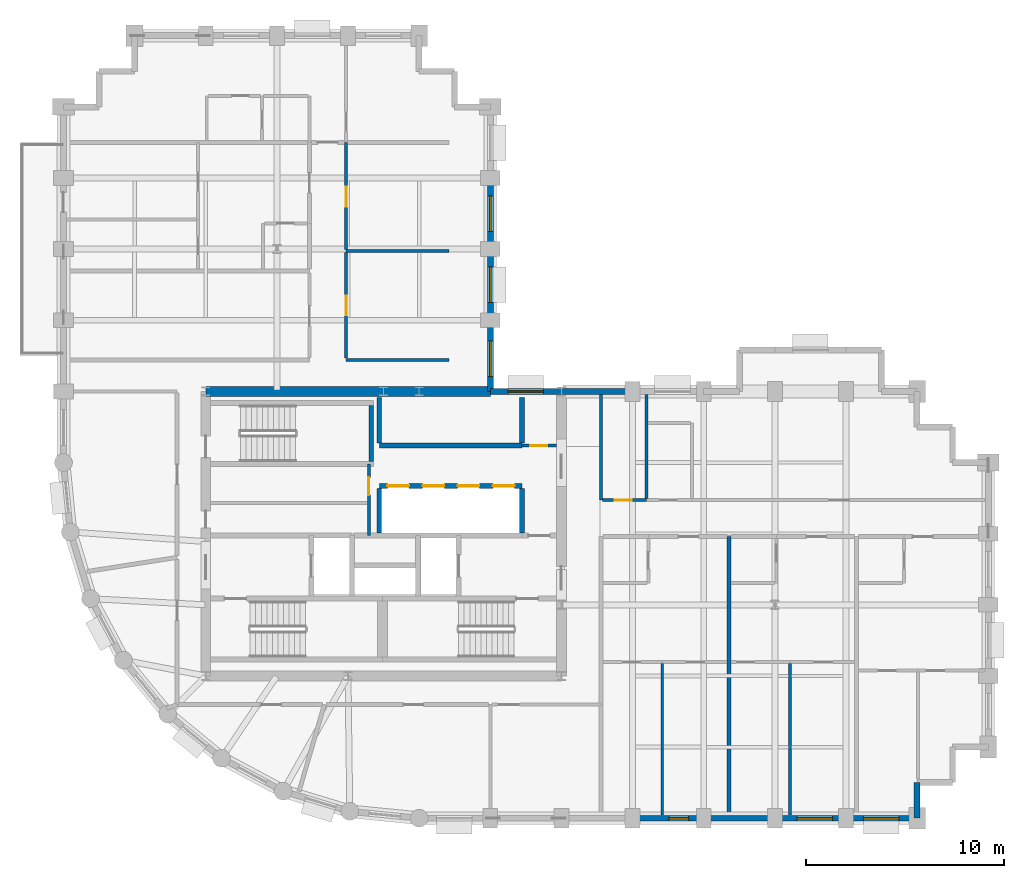
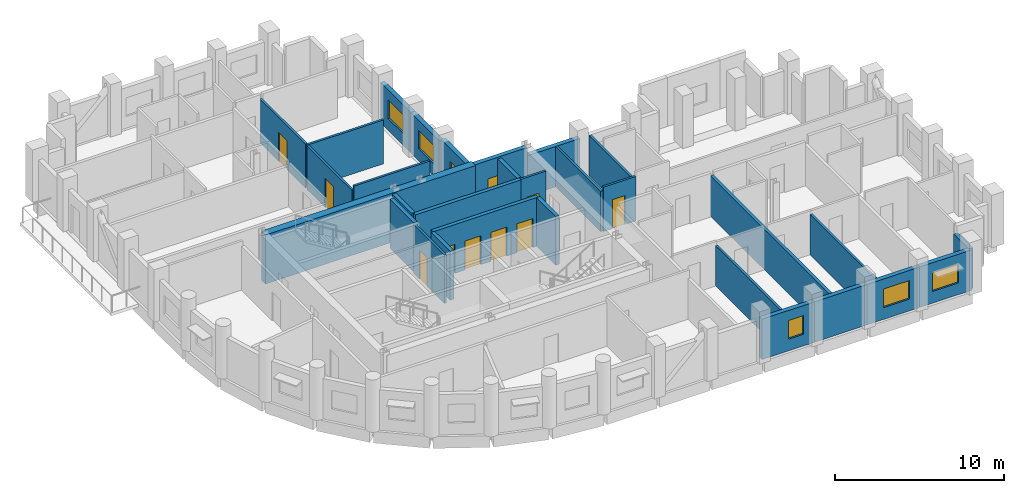
# One storey, part 5 of 10: 30 walls, 9 doors, 7 windows, 16 openings.
"""IFC4 building model written with IfcOpenShell, lengths in metres."""

from ifc_helpers import new_model, si_unit, direction, frame, frame_2d, origin, place, context, subcontext, project, spatial, rectangle, extrude, material, layer, layer_set, type_object, element, fill, save


model = new_model("IFC4")

# Units and contexts
model_context = context("Model", 3, precision=1e-05, world=origin(), true_north=direction((0.0, 1.0)))
body_context = subcontext(model_context, "Body", "Model", "MODEL_VIEW")
ifc_project = project(units=[si_unit("LENGTHUNIT", "METRE"), si_unit("AREAUNIT", "SQUARE_METRE"), si_unit("VOLUMEUNIT", "CUBIC_METRE"), si_unit("PLANEANGLEUNIT", "RADIAN"), si_unit("MASSUNIT", "GRAM", prefix="KILO")], contexts=[model_context])

# Site, building, storey
site_placement = place(None, origin())
site = spatial("IfcSite", under=ifc_project, at=site_placement, CompositionType="ELEMENT")
building_placement = place(site_placement, origin())
building = spatial("IfcBuilding", under=site, at=building_placement, Name="Solnavia Interchange Tower", CompositionType="ELEMENT")
storey_placement = place(building_placement, frame((0.0, 0.0, 150.39990234375)))
storey = spatial("IfcBuildingStorey", under=building, at=storey_placement, Name="L37", CompositionType="ELEMENT", Elevation=150.39990234375)

# Wall
ifc_material_1 = material(Name="Gypsum Acoustic Twin-Stud & Mineral Wool", Category="gypsum")
ifc_layer_1 = layer(ifc_material_1, 0.199951171875)
ifc_layer_set_1 = layer_set([ifc_layer_1], Name="Gypsum Acoustic Twin-Stud & Mineral Wool")
wall_type_1 = type_object("IfcWallType", Name="Wall-ApartmentParty-200", PredefinedType="PARTITIONING", material=ifc_layer_set_1)
wall_1_placement = place(storey_placement, frame((40.8701171875, 3.75390625, 0.0), z_axis=(0.0, 0.0, 1.0), x_axis=(0.0, 1.0, 0.0)))
element("IfcWall", 1, at=wall_1_placement, inside=storey, type_object=wall_type_1, Name="PTW-L37-18 Interior partition wall", PredefinedType="PARTITIONING", context=body_context, shape_type="SweptSolid", body=[
    extrude(rectangle(XDim=14.09619140625, YDim=0.199951171875, at=frame_2d((7.048095703125, 0.0))), origin(), (0.0, 0.0, 1.0), 2.93017578125),
])

# Wall, opening, window
ifc_material_2 = material(Name="Concrete C40/50", Category="concrete")
ifc_layer_2 = layer(ifc_material_2, 0.300048828125)
ifc_layer_set_2 = layer_set([ifc_layer_2], Name="Concrete C40/50")
wall_type_2 = type_object("IfcWallType", Name="Wall-ExtSpandrel-300", PredefinedType="STANDARD", material=ifc_layer_set_2)
wall_2_placement = place(storey_placement, frame((39.60009765625, 3.60009765625, 0.0), z_axis=(0.0, 0.0, 1.0), x_axis=(-1.0, 0.0, 0.0)))
wall_2 = element("IfcWall", 2, at=wall_2_placement, inside=storey, type_object=wall_type_2, Name="EXW-L37-04 Exterior precast spandrel wall", PredefinedType="STANDARD", context=body_context, shape_type="SweptSolid", body=[
    extrude(rectangle(XDim=3.60009765625, YDim=0.300048828125, at=frame_2d((1.800048828125, 0.0))), origin(), (0.0, 0.0, 1.0), 2.93017578125),
])
opening_1_placement = place(wall_2_placement, frame((0.76904296875, 0.0, 0.85009765625)))
opening_1 = element("IfcOpeningElement", 3, at=opening_1_placement, cuts=wall_2, Name="Opening WIN-07", PredefinedType="OPENING", context=body_context, shape_type="SweptSolid", body=[
    extrude(rectangle(XDim=1.0, YDim=1.35009765625, at=frame_2d((0.5, 0.675048828125))), frame((0.0, 0.16015625, 0.0), z_axis=(0.0, -1.0, 0.0), x_axis=(1.0, 0.0, 0.0)), (0.0, 0.0, 1.0), 0.320068359375),
])
ifc_material_3 = material(Name="Thermal-Break Aluminium & Low-E Glass", Category="aluminium")
window_type_1 = type_object("IfcWindowType", Name="Window-Bedroom-1000x1350", PartitioningType="SINGLE_PANEL", PredefinedType="WINDOW", material=ifc_material_3)
window_1_placement = place(opening_1_placement, origin())
window_1 = element("IfcWindow", 4, at=window_1_placement, inside=storey, type_object=window_type_1, Name="WIN-L37-DW01 Dwelling bedroom window", OverallHeight=1.35009765625, OverallWidth=1.0, PartitioningType="SINGLE_PANEL", PredefinedType="WINDOW", context=body_context, shape_type="SweptSolid", body=[
    extrude(rectangle(XDim=1.0, YDim=1.35009765625, at=frame_2d((0.5, 0.675048828125))), frame((0.0, 0.030029296875, 0.0), z_axis=(0.0, -1.0, 0.0), x_axis=(1.0, 0.0, 0.0)), (0.0, 0.0, 1.0), 0.06005859375),
])
fill(opening_1, window_1)

# Wall
wall_3_placement = place(storey_placement, frame((43.199951171875, 3.60009765625, 0.0), z_axis=(0.0, 0.0, 1.0), x_axis=(-1.0, 0.0, 0.0)))
element("IfcWall", 5, at=wall_3_placement, inside=storey, type_object=wall_type_2, Name="EXW-L37-05 Exterior precast spandrel wall", PredefinedType="STANDARD", context=body_context, shape_type="SweptSolid", body=[
    extrude(rectangle(XDim=3.599853515625, YDim=0.300048828125, at=frame_2d((1.7998046875, 0.0))), origin(), (0.0, 0.0, 1.0), 2.93017578125),
])

# Wall, opening, window
wall_4_placement = place(storey_placement, frame((46.800048828125, 3.60009765625, 0.0), z_axis=(0.0, 0.0, 1.0), x_axis=(-1.0, 0.0, 0.0)))
wall_4 = element("IfcWall", 6, at=wall_4_placement, inside=storey, type_object=wall_type_2, Name="EXW-L37-06 Exterior precast spandrel wall", PredefinedType="STANDARD", context=body_context, shape_type="SweptSolid", body=[
    extrude(rectangle(XDim=3.60009765625, YDim=0.300048828125, at=frame_2d((1.800048828125, 0.0))), origin(), (0.0, 0.0, 1.0), 2.93017578125),
])
opening_2_placement = place(wall_4_placement, frame((0.679931640625, 0.0, 0.85009765625)))
opening_2 = element("IfcOpeningElement", 7, at=opening_2_placement, cuts=wall_4, Name="Opening WIN-02", PredefinedType="OPENING", context=body_context, shape_type="SweptSolid", body=[
    extrude(rectangle(XDim=1.800048828125, YDim=1.35009765625, at=frame_2d((0.89990234375, 0.675048828125))), frame((0.0, 0.16015625, 0.0), z_axis=(0.0, -1.0, 0.0), x_axis=(1.0, 0.0, 0.0)), (0.0, 0.0, 1.0), 0.320068359375),
])
window_type_2 = type_object("IfcWindowType", Name="Window-Ribbon-1800x1350", PartitioningType="SINGLE_PANEL", PredefinedType="WINDOW", material=ifc_material_3)
window_2_placement = place(opening_2_placement, origin())
window_2 = element("IfcWindow", 8, at=window_2_placement, inside=storey, type_object=window_type_2, Name="WIN-L37-06 Facade ribbon window", OverallHeight=1.35009765625, OverallWidth=1.800048828125, PartitioningType="SINGLE_PANEL", PredefinedType="WINDOW", context=body_context, shape_type="SweptSolid", body=[
    extrude(rectangle(XDim=1.800048828125, YDim=1.35009765625, at=frame_2d((0.89990234375, 0.675048828125))), frame((0.0, 0.030029296875, 0.0), z_axis=(0.0, -1.0, 0.0), x_axis=(1.0, 0.0, 0.0)), (0.0, 0.0, 1.0), 0.06005859375),
])
fill(opening_2, window_2)

wall_5_placement = place(storey_placement, frame((50.39990234375, 3.60009765625, 0.0), z_axis=(0.0, 0.0, 1.0), x_axis=(-1.0, 0.0, 0.0)))
wall_5 = element("IfcWall", 9, at=wall_5_placement, inside=storey, type_object=wall_type_2, Name="EXW-L37-07 Exterior precast spandrel wall", PredefinedType="STANDARD", context=body_context, shape_type="SweptSolid", body=[
    extrude(rectangle(XDim=3.599853515625, YDim=0.300048828125, at=frame_2d((1.7998046875, 0.0))), origin(), (0.0, 0.0, 1.0), 2.93017578125),
])
opening_3_placement = place(wall_5_placement, frame((0.925048828125, 0.0, 0.85009765625)))
opening_3 = element("IfcOpeningElement", 10, at=opening_3_placement, cuts=wall_5, Name="Opening WIN-02", PredefinedType="OPENING", context=body_context, shape_type="SweptSolid", body=[
    extrude(rectangle(XDim=1.800048828125, YDim=1.35009765625, at=frame_2d((0.89990234375, 0.675048828125))), frame((0.0, 0.16015625, 0.0), z_axis=(0.0, -1.0, 0.0), x_axis=(1.0, 0.0, 0.0)), (0.0, 0.0, 1.0), 0.320068359375),
])
window_3_placement = place(opening_3_placement, origin())
window_3 = element("IfcWindow", 11, at=window_3_placement, inside=storey, type_object=window_type_2, Name="WIN-L37-07 Facade ribbon window", OverallHeight=1.35009765625, OverallWidth=1.800048828125, PartitioningType="SINGLE_PANEL", PredefinedType="WINDOW", context=body_context, shape_type="SweptSolid", body=[
    extrude(rectangle(XDim=1.800048828125, YDim=1.35009765625, at=frame_2d((0.89990234375, 0.675048828125))), frame((0.0, 0.030029296875, 0.0), z_axis=(0.0, -1.0, 0.0), x_axis=(1.0, 0.0, 0.0)), (0.0, 0.0, 1.0), 0.06005859375),
])
fill(opening_3, window_3)

# Walls
wall_6_placement = place(storey_placement, frame((50.39990234375, 5.39990234375, 0.0), z_axis=(0.0, 0.0, 1.0), x_axis=(0.0, -1.0, 0.0)))
element("IfcWall", 12, at=wall_6_placement, inside=storey, type_object=wall_type_2, Name="EXW-L37-08 Exterior precast spandrel wall", PredefinedType="STANDARD", context=body_context, shape_type="SweptSolid", body=[
    extrude(rectangle(XDim=1.7998046875, YDim=0.300048828125, at=frame_2d((0.89990234375, 0.0))), origin(), (0.0, 0.0, 1.0), 2.93017578125),
])
wall_7_placement = place(storey_placement, frame((32.39990234375, 25.199951171875, 0.0), z_axis=(0.0, 0.0, 1.0), x_axis=(1.0, 0.0, 0.0)))
element("IfcWall", 13, at=wall_7_placement, inside=storey, type_object=wall_type_2, Name="EXW-L37-28 Exterior precast spandrel wall", PredefinedType="STANDARD", context=body_context, shape_type="SweptSolid", body=[
    extrude(rectangle(XDim=3.60009765625, YDim=0.300048828125, at=frame_2d((1.800048828125, 0.0))), origin(), (0.0, 0.0, 1.0), 2.93017578125),
])

# Wall, opening, window
wall_8_placement = place(storey_placement, frame((28.800048828125, 25.199951171875, 0.0), z_axis=(0.0, 0.0, 1.0), x_axis=(1.0, 0.0, 0.0)))
wall_8 = element("IfcWall", 14, at=wall_8_placement, inside=storey, type_object=wall_type_2, Name="EXW-L37-29 Exterior precast spandrel wall", PredefinedType="STANDARD", context=body_context, shape_type="SweptSolid", body=[
    extrude(rectangle(XDim=3.599853515625, YDim=0.300048828125, at=frame_2d((1.7998046875, 0.0))), origin(), (0.0, 0.0, 1.0), 3.53515625),
])
opening_4_placement = place(wall_8_placement, frame((0.884033203125, 0.0, 0.85009765625)))
opening_4 = element("IfcOpeningElement", 15, at=opening_4_placement, cuts=wall_8, Name="Opening WIN-02", PredefinedType="OPENING", context=body_context, shape_type="SweptSolid", body=[
    extrude(rectangle(XDim=1.800048828125, YDim=1.35009765625, at=frame_2d((0.89990234375, 0.675048828125))), frame((0.0, 0.16015625, 0.0), z_axis=(0.0, -1.0, 0.0), x_axis=(1.0, 0.0, 0.0)), (0.0, 0.0, 1.0), 0.320068359375),
])
window_4_placement = place(opening_4_placement, origin())
window_4 = element("IfcWindow", 16, at=window_4_placement, inside=storey, type_object=window_type_2, Name="WIN-L37-29 Facade ribbon window", OverallHeight=1.35009765625, OverallWidth=1.800048828125, PartitioningType="SINGLE_PANEL", PredefinedType="WINDOW", context=body_context, shape_type="SweptSolid", body=[
    extrude(rectangle(XDim=1.800048828125, YDim=1.35009765625, at=frame_2d((0.89990234375, 0.675048828125))), frame((0.0, 0.030029296875, 0.0), z_axis=(0.0, -1.0, 0.0), x_axis=(1.0, 0.0, 0.0)), (0.0, 0.0, 1.0), 0.06005859375),
])
fill(opening_4, window_4)

wall_9_placement = place(storey_placement, frame((28.800048828125, 28.800048828125, 0.0), z_axis=(0.0, 0.0, 1.0), x_axis=(0.0, -1.0, 0.0)))
wall_9 = element("IfcWall", 17, at=wall_9_placement, inside=storey, type_object=wall_type_2, Name="EXW-L37-30 Exterior precast spandrel wall", PredefinedType="STANDARD", context=body_context, shape_type="SweptSolid", body=[
    extrude(rectangle(XDim=3.60009765625, YDim=0.300048828125, at=frame_2d((1.800048828125, 0.0))), origin(), (0.0, 0.0, 1.0), 3.170166015625),
])
opening_5_placement = place(wall_9_placement, frame((1.054931640625, 0.0, 0.85009765625)))
opening_5 = element("IfcOpeningElement", 18, at=opening_5_placement, cuts=wall_9, Name="Opening WIN-02", PredefinedType="OPENING", context=body_context, shape_type="SweptSolid", body=[
    extrude(rectangle(XDim=1.800048828125, YDim=1.35009765625, at=frame_2d((0.89990234375, 0.675048828125))), frame((0.0, 0.16015625, 0.0), z_axis=(0.0, -1.0, 0.0), x_axis=(1.0, 0.0, 0.0)), (0.0, 0.0, 1.0), 0.320068359375),
])
window_5_placement = place(opening_5_placement, origin())
window_5 = element("IfcWindow", 19, at=window_5_placement, inside=storey, type_object=window_type_2, Name="WIN-L37-30 Facade ribbon window", OverallHeight=1.35009765625, OverallWidth=1.800048828125, PartitioningType="SINGLE_PANEL", PredefinedType="WINDOW", context=body_context, shape_type="SweptSolid", body=[
    extrude(rectangle(XDim=1.800048828125, YDim=1.35009765625, at=frame_2d((0.89990234375, 0.675048828125))), frame((0.0, 0.030029296875, 0.0), z_axis=(0.0, -1.0, 0.0), x_axis=(1.0, 0.0, 0.0)), (0.0, 0.0, 1.0), 0.06005859375),
])
fill(opening_5, window_5)

wall_10_placement = place(storey_placement, frame((28.800048828125, 32.39990234375, 0.0), z_axis=(0.0, 0.0, 1.0), x_axis=(0.0, -1.0, 0.0)))
wall_10 = element("IfcWall", 20, at=wall_10_placement, inside=storey, type_object=wall_type_2, Name="EXW-L37-31 Exterior precast spandrel wall", PredefinedType="STANDARD", context=body_context, shape_type="SweptSolid", body=[
    extrude(rectangle(XDim=3.599853515625, YDim=0.300048828125, at=frame_2d((1.7998046875, 0.0))), origin(), (0.0, 0.0, 1.0), 2.93017578125),
])
opening_6_placement = place(wall_10_placement, frame((0.89990234375, 0.0, 0.85009765625)))
opening_6 = element("IfcOpeningElement", 21, at=opening_6_placement, cuts=wall_10, Name="Opening WIN-02", PredefinedType="OPENING", context=body_context, shape_type="SweptSolid", body=[
    extrude(rectangle(XDim=1.800048828125, YDim=1.35009765625, at=frame_2d((0.89990234375, 0.675048828125))), frame((0.0, 0.16015625, 0.0), z_axis=(0.0, -1.0, 0.0), x_axis=(1.0, 0.0, 0.0)), (0.0, 0.0, 1.0), 0.320068359375),
])
window_6_placement = place(opening_6_placement, origin())
window_6 = element("IfcWindow", 22, at=window_6_placement, inside=storey, type_object=window_type_2, Name="WIN-L37-31 Facade ribbon window", OverallHeight=1.35009765625, OverallWidth=1.800048828125, PartitioningType="SINGLE_PANEL", PredefinedType="WINDOW", context=body_context, shape_type="SweptSolid", body=[
    extrude(rectangle(XDim=1.800048828125, YDim=1.35009765625, at=frame_2d((0.89990234375, 0.675048828125))), frame((0.0, 0.030029296875, 0.0), z_axis=(0.0, -1.0, 0.0), x_axis=(1.0, 0.0, 0.0)), (0.0, 0.0, 1.0), 0.06005859375),
])
fill(opening_6, window_6)

wall_11_placement = place(storey_placement, frame((28.800048828125, 36.0, 0.0), z_axis=(0.0, 0.0, 1.0), x_axis=(0.0, -1.0, 0.0)))
wall_11 = element("IfcWall", 23, at=wall_11_placement, inside=storey, type_object=wall_type_2, Name="EXW-L37-32 Exterior precast spandrel wall", PredefinedType="STANDARD", context=body_context, shape_type="SweptSolid", body=[
    extrude(rectangle(XDim=3.60009765625, YDim=0.300048828125, at=frame_2d((1.800048828125, 0.0))), origin(), (0.0, 0.0, 1.0), 2.93017578125),
])
opening_7_placement = place(wall_11_placement, frame((0.89990234375, 0.0, 0.85009765625)))
opening_7 = element("IfcOpeningElement", 24, at=opening_7_placement, cuts=wall_11, Name="Opening WIN-02", PredefinedType="OPENING", context=body_context, shape_type="SweptSolid", body=[
    extrude(rectangle(XDim=1.800048828125, YDim=1.35009765625, at=frame_2d((0.89990234375, 0.675048828125))), frame((0.0, 0.16015625, 0.0), z_axis=(0.0, -1.0, 0.0), x_axis=(1.0, 0.0, 0.0)), (0.0, 0.0, 1.0), 0.320068359375),
])
window_7_placement = place(opening_7_placement, origin())
window_7 = element("IfcWindow", 25, at=window_7_placement, inside=storey, type_object=window_type_2, Name="WIN-L37-32 Facade ribbon window", OverallHeight=1.35009765625, OverallWidth=1.800048828125, PartitioningType="SINGLE_PANEL", PredefinedType="WINDOW", context=body_context, shape_type="SweptSolid", body=[
    extrude(rectangle(XDim=1.800048828125, YDim=1.35009765625, at=frame_2d((0.89990234375, 0.675048828125))), frame((0.0, 0.030029296875, 0.0), z_axis=(0.0, -1.0, 0.0), x_axis=(1.0, 0.0, 0.0)), (0.0, 0.0, 1.0), 0.06005859375),
])
fill(opening_7, window_7)

# Wall, opening, door
ifc_material_4 = material(Name="Gypsum Plasterboard & Steel Stud", Category="steel")
ifc_layer_3 = layer(ifc_material_4, 0.14990234375)
ifc_layer_set_3 = layer_set([ifc_layer_3], Name="Gypsum Plasterboard & Steel Stud")
wall_type_3 = type_object("IfcWallType", Name="Wall-Partition-150", PredefinedType="PARTITIONING", material=ifc_layer_set_3)
wall_12_placement = place(storey_placement, frame((22.64990234375, 17.89990234375, 0.0), z_axis=(0.0, 0.0, 1.0), x_axis=(0.0, 1.0, 0.0)))
wall_12 = element("IfcWall", 26, at=wall_12_placement, inside=storey, type_object=wall_type_3, Name="CSW-L37-E Core shaft wall", PredefinedType="PARTITIONING", context=body_context, shape_type="SweptSolid", body=[
    extrude(rectangle(XDim=3.625, YDim=0.14990234375, at=frame_2d((1.8125, 0.0))), origin(), (0.0, 0.0, 1.0), 3.53515625),
])
opening_8_placement = place(wall_12_placement, frame((2.050048828125, 0.0, 0.0)))
opening_8 = element("IfcOpeningElement", 27, at=opening_8_placement, cuts=wall_12, Name="Opening DR-09", PredefinedType="OPENING", context=body_context, shape_type="SweptSolid", body=[
    extrude(rectangle(XDim=0.89990234375, YDim=2.10009765625, at=frame_2d((0.449951171875, 1.050048828125))), frame((0.0, 0.0849609375, 0.0), z_axis=(0.0, -1.0, 0.0), x_axis=(1.0, 0.0, 0.0)), (0.0, 0.0, 1.0), 0.169921875),
])
ifc_material_5 = material(Name="Engineered Oak Veneer Door", Category="wood")
door_type_1 = type_object("IfcDoorType", Name="Door-Internal-900x2100", OperationType="SINGLE_SWING_LEFT", PredefinedType="DOOR", material=ifc_material_5)
door_1_placement = place(opening_8_placement, origin())
door_1 = element("IfcDoor", 28, at=door_1_placement, inside=storey, type_object=door_type_1, Name="DR-L37-CS2 Core fire door", OperationType="SINGLE_SWING_LEFT", OverallHeight=2.10009765625, OverallWidth=0.89990234375, PredefinedType="DOOR", context=body_context, shape_type="SweptSolid", body=[
    extrude(rectangle(XDim=0.89990234375, YDim=2.10009765625, at=frame_2d((0.449951171875, 1.050048828125))), frame((0.0, 0.02490234375, 0.0), z_axis=(0.0, -1.0, 0.0), x_axis=(1.0, 0.0, 0.0)), (0.0, 0.0, 1.0), 0.050048828125),
])
fill(opening_8, door_1)

wall_13_placement = place(storey_placement, frame((30.39990234375, 22.4599609375, 0.0), z_axis=(0.0, 0.0, 1.0), x_axis=(1.0, 0.0, 0.0)))
wall_13 = element("IfcWall", 29, at=wall_13_placement, inside=storey, type_object=wall_type_3, Name="CSW-L37-NE-S Core shaft wall", PredefinedType="PARTITIONING", context=body_context, shape_type="SweptSolid", body=[
    extrude(rectangle(XDim=1.75, YDim=0.14990234375, at=frame_2d((0.875, 0.0))), origin(), (0.0, 0.0, 1.0), 3.53515625),
])
opening_9_placement = place(wall_13_placement, frame((0.419921875, 0.0, 0.0)))
opening_9 = element("IfcOpeningElement", 30, at=opening_9_placement, cuts=wall_13, Name="Opening DR-10", PredefinedType="OPENING", context=body_context, shape_type="SweptSolid", body=[
    extrude(rectangle(XDim=0.85009765625, YDim=2.10009765625, at=frame_2d((0.425048828125, 1.050048828125))), frame((0.0, 0.0849609375, 0.0), z_axis=(0.0, -1.0, 0.0), x_axis=(1.0, 0.0, 0.0)), (0.0, 0.0, 1.0), 0.169921875),
])
ifc_material_6 = material(Name="Moisture-Resistant Timber Door", Category="wood")
door_type_2 = type_object("IfcDoorType", Name="Door-Bathroom-850x2100", OperationType="SINGLE_SWING_RIGHT", PredefinedType="DOOR", material=ifc_material_6)
door_2_placement = place(opening_9_placement, origin())
door_2 = element("IfcDoor", 31, at=door_2_placement, inside=storey, type_object=door_type_2, Name="DR-L37-CS3 Core fire door", OperationType="SINGLE_SWING_RIGHT", OverallHeight=2.10009765625, OverallWidth=0.85009765625, PredefinedType="DOOR", context=body_context, shape_type="SweptSolid", body=[
    extrude(rectangle(XDim=0.85009765625, YDim=2.10009765625, at=frame_2d((0.425048828125, 1.050048828125))), frame((0.0, 0.02490234375, 0.0), z_axis=(0.0, -1.0, 0.0), x_axis=(1.0, 0.0, 0.0)), (0.0, 0.0, 1.0), 0.050048828125),
])
fill(opening_9, door_2)

# Walls
wall_14_placement = place(storey_placement, frame((21.5, 26.800048828125, 0.0), z_axis=(0.0, 0.0, 1.0), x_axis=(1.0, 0.0, 0.0)))
element("IfcWall", 32, at=wall_14_placement, inside=storey, type_object=wall_type_3, Name="PTW-L37-52 Interior partition wall", PredefinedType="PARTITIONING", context=body_context, shape_type="SweptSolid", body=[
    extrude(rectangle(XDim=5.199951171875, YDim=0.14990234375, at=frame_2d((2.60009765625, 0.0))), origin(), (0.0, 0.0, 1.0), 3.53515625),
])
wall_15_placement = place(storey_placement, frame((21.5, 32.300048828125, 0.0), z_axis=(0.0, 0.0, 1.0), x_axis=(1.0, 0.0, 0.0)))
element("IfcWall", 33, at=wall_15_placement, inside=storey, type_object=wall_type_3, Name="PTW-L37-53 Interior partition wall", PredefinedType="PARTITIONING", context=body_context, shape_type="SweptSolid", body=[
    extrude(rectangle(XDim=5.199951171875, YDim=0.14990234375, at=frame_2d((2.60009765625, 0.0))), origin(), (0.0, 0.0, 1.0), 3.18017578125),
])

# Wall, opening, door
wall_16_placement = place(storey_placement, frame((21.5, 26.87890625, 0.0), z_axis=(0.0, 0.0, 1.0), x_axis=(0.0, 1.0, 0.0)))
wall_16 = element("IfcWall", 34, at=wall_16_placement, inside=storey, type_object=wall_type_3, Name="PTW-L37-54 Interior partition wall", PredefinedType="PARTITIONING", context=body_context, shape_type="SweptSolid", body=[
    extrude(rectangle(XDim=5.342041015625, YDim=0.14990234375, at=frame_2d((2.6708984375, 0.0))), origin(), (0.0, 0.0, 1.0), 3.170166015625),
])
opening_10_placement = place(wall_16_placement, frame((2.1708984375, 0.0, 0.0)))
opening_10 = element("IfcOpeningElement", 35, at=opening_10_placement, cuts=wall_16, Name="Opening DR-07", PredefinedType="OPENING", context=body_context, shape_type="SweptSolid", body=[
    extrude(rectangle(XDim=1.0, YDim=2.10009765625, at=frame_2d((0.5, 1.050048828125))), frame((0.0, 0.0849609375, 0.0), z_axis=(0.0, -1.0, 0.0), x_axis=(1.0, 0.0, 0.0)), (0.0, 0.0, 1.0), 0.169921875),
])
ifc_material_7 = material(Name="Timber & Acoustic Glazed Office Door", Category="wood")
door_type_3 = type_object("IfcDoorType", Name="Door-Office-1000x2100", OperationType="SINGLE_SWING_RIGHT", PredefinedType="DOOR", material=ifc_material_7)
door_3_placement = place(opening_10_placement, origin())
door_3 = element("IfcDoor", 36, at=door_3_placement, inside=storey, type_object=door_type_3, Name="DR-L37-26 Interior room door", OperationType="SINGLE_SWING_LEFT", OverallHeight=2.10009765625, OverallWidth=1.0, PredefinedType="DOOR", context=body_context, shape_type="SweptSolid", body=[
    extrude(rectangle(XDim=1.0, YDim=2.10009765625, at=frame_2d((0.5, 1.050048828125))), frame((0.0, 0.02490234375, 0.0), z_axis=(0.0, -1.0, 0.0), x_axis=(1.0, 0.0, 0.0)), (0.0, 0.0, 1.0), 0.050048828125),
])
fill(opening_10, door_3)

wall_17_placement = place(storey_placement, frame((21.5, 32.37890625, 0.0), z_axis=(0.0, 0.0, 1.0), x_axis=(0.0, 1.0, 0.0)))
wall_17 = element("IfcWall", 37, at=wall_17_placement, inside=storey, type_object=wall_type_3, Name="PTW-L37-55 Interior partition wall", PredefinedType="PARTITIONING", context=body_context, shape_type="SweptSolid", body=[
    extrude(rectangle(XDim=5.421142578125, YDim=0.14990234375, at=frame_2d((2.71044921875, 0.0))), origin(), (0.0, 0.0, 1.0), 3.170166015625),
])
opening_11_placement = place(wall_17_placement, frame((2.1708984375, 0.0, 0.0)))
opening_11 = element("IfcOpeningElement", 38, at=opening_11_placement, cuts=wall_17, Name="Opening DR-07", PredefinedType="OPENING", context=body_context, shape_type="SweptSolid", body=[
    extrude(rectangle(XDim=1.0, YDim=2.10009765625, at=frame_2d((0.5, 1.050048828125))), frame((0.0, 0.0849609375, 0.0), z_axis=(0.0, -1.0, 0.0), x_axis=(1.0, 0.0, 0.0)), (0.0, 0.0, 1.0), 0.169921875),
])
door_4_placement = place(opening_11_placement, origin())
door_4 = element("IfcDoor", 39, at=door_4_placement, inside=storey, type_object=door_type_3, Name="DR-L37-27 Interior room door", OperationType="SINGLE_SWING_LEFT", OverallHeight=2.10009765625, OverallWidth=1.0, PredefinedType="DOOR", context=body_context, shape_type="SweptSolid", body=[
    extrude(rectangle(XDim=1.0, YDim=2.10009765625, at=frame_2d((0.5, 1.050048828125))), frame((0.0, 0.02490234375, 0.0), z_axis=(0.0, -1.0, 0.0), x_axis=(1.0, 0.0, 0.0)), (0.0, 0.0, 1.0), 0.050048828125),
])
fill(opening_11, door_4)

# Wall
ifc_layer_4 = layer(ifc_material_2, 0.25)
ifc_layer_set_4 = layer_set([ifc_layer_4], Name="Concrete C40/50")
wall_type_4 = type_object("IfcWallType", Name="Wall-ShaftCore-250", PredefinedType="SHEAR", material=ifc_layer_set_4)
wall_18_placement = place(storey_placement, frame((22.77490234375, 21.64990234375, 0.0), z_axis=(0.0, 0.0, 1.0), x_axis=(0.0, 1.0, 0.0)))
element("IfcWall", 40, at=wall_18_placement, inside=storey, type_object=wall_type_4, Name="SHW-L37-ST3E Core shear wall", PredefinedType="SHEAR", context=body_context, shape_type="SweptSolid", body=[
    extrude(rectangle(XDim=2.840087890625, YDim=0.25, at=frame_2d((1.419921875, 0.0))), origin(), (0.0, 0.0, 1.0), 3.550048828125),
])

# Wall, openings, doors
ifc_layer_5 = layer(ifc_material_2, 0.25)
ifc_layer_set_5 = layer_set([ifc_layer_5], Name="Concrete C40/50")
wall_type_5 = type_object("IfcWallType", Name="Wall-ShaftPart-250", PredefinedType="PARTITIONING", material=ifc_layer_set_5)
wall_19_placement = place(storey_placement, frame((23.179931640625, 20.419921875, 0.0), z_axis=(0.0, 0.0, 1.0), x_axis=(1.0, 0.0, 0.0)))
wall_19 = element("IfcWall", 41, at=wall_19_placement, inside=storey, type_object=wall_type_5, Name="SHW-L37-B2N Core shaft wall", PredefinedType="PARTITIONING", context=body_context, shape_type="SweptSolid", body=[
    extrude(rectangle(XDim=7.219970703125, YDim=0.25, at=frame_2d((3.60986328125, 0.0))), origin(), (0.0, 0.0, 1.0), 3.53515625),
])
opening_12_placement = place(wall_19_placement, frame((0.409912109375, 0.0, 0.0)))
opening_12 = element("IfcOpeningElement", 42, at=opening_12_placement, cuts=wall_19, Name="Opening LD-01", PredefinedType="OPENING", context=body_context, shape_type="SweptSolid", body=[
    extrude(rectangle(XDim=1.10009765625, YDim=2.10009765625, at=frame_2d((0.550048828125, 1.050048828125))), frame((0.0, 0.135009765625, 0.0), z_axis=(0.0, -1.0, 0.0), x_axis=(1.0, 0.0, 0.0)), (0.0, 0.0, 1.0), 0.27001953125),
])
opening_13_placement = place(wall_19_placement, frame((2.18994140625, 0.0, 0.0)))
opening_13 = element("IfcOpeningElement", 43, at=opening_13_placement, cuts=wall_19, Name="Opening LD-01", PredefinedType="OPENING", context=body_context, shape_type="SweptSolid", body=[
    extrude(rectangle(XDim=1.10009765625, YDim=2.10009765625, at=frame_2d((0.550048828125, 1.050048828125))), frame((0.0, 0.135009765625, 0.0), z_axis=(0.0, -1.0, 0.0), x_axis=(1.0, 0.0, 0.0)), (0.0, 0.0, 1.0), 0.27001953125),
])
opening_14_placement = place(wall_19_placement, frame((3.969970703125, 0.0, 0.0)))
opening_14 = element("IfcOpeningElement", 44, at=opening_14_placement, cuts=wall_19, Name="Opening LD-01", PredefinedType="OPENING", context=body_context, shape_type="SweptSolid", body=[
    extrude(rectangle(XDim=1.10009765625, YDim=2.10009765625, at=frame_2d((0.550048828125, 1.050048828125))), frame((0.0, 0.135009765625, 0.0), z_axis=(0.0, -1.0, 0.0), x_axis=(1.0, 0.0, 0.0)), (0.0, 0.0, 1.0), 0.27001953125),
])
opening_15_placement = place(wall_19_placement, frame((5.75, 0.0, 0.0)))
opening_15 = element("IfcOpeningElement", 45, at=opening_15_placement, cuts=wall_19, Name="Opening LD-01", PredefinedType="OPENING", context=body_context, shape_type="SweptSolid", body=[
    extrude(rectangle(XDim=1.10009765625, YDim=2.10009765625, at=frame_2d((0.550048828125, 1.050048828125))), frame((0.0, 0.135009765625, 0.0), z_axis=(0.0, -1.0, 0.0), x_axis=(1.0, 0.0, 0.0)), (0.0, 0.0, 1.0), 0.27001953125),
])
ifc_material_8 = material(Name="Brushed Stainless Steel Sliding Door", Category="steel")
door_type_4 = type_object("IfcDoorType", Name="Door-LiftLanding-1100x2100", OperationType="SLIDING_TO_LEFT", PredefinedType="DOOR", material=ifc_material_8)
door_5_placement = place(opening_12_placement, origin())
door_5 = element("IfcDoor", 46, at=door_5_placement, inside=storey, type_object=door_type_4, Name="LD-L37-B2-1 Lift landing sliding door", OperationType="SLIDING_TO_LEFT", OverallHeight=2.10009765625, OverallWidth=1.10009765625, PredefinedType="DOOR", context=body_context, shape_type="SweptSolid", body=[
    extrude(rectangle(XDim=1.10009765625, YDim=2.10009765625, at=frame_2d((0.550048828125, 1.050048828125))), frame((0.0, 0.02490234375, 0.0), z_axis=(0.0, -1.0, 0.0), x_axis=(1.0, 0.0, 0.0)), (0.0, 0.0, 1.0), 0.050048828125),
])
fill(opening_12, door_5)
door_6_placement = place(opening_13_placement, origin())
door_6 = element("IfcDoor", 47, at=door_6_placement, inside=storey, type_object=door_type_4, Name="LD-L37-B2-2 Lift landing sliding door", OperationType="SLIDING_TO_LEFT", OverallHeight=2.10009765625, OverallWidth=1.10009765625, PredefinedType="DOOR", context=body_context, shape_type="SweptSolid", body=[
    extrude(rectangle(XDim=1.10009765625, YDim=2.10009765625, at=frame_2d((0.550048828125, 1.050048828125))), frame((0.0, 0.02490234375, 0.0), z_axis=(0.0, -1.0, 0.0), x_axis=(1.0, 0.0, 0.0)), (0.0, 0.0, 1.0), 0.050048828125),
])
fill(opening_13, door_6)
door_7_placement = place(opening_14_placement, origin())
door_7 = element("IfcDoor", 48, at=door_7_placement, inside=storey, type_object=door_type_4, Name="LD-L37-B2-3 Lift landing sliding door", OperationType="SLIDING_TO_LEFT", OverallHeight=2.10009765625, OverallWidth=1.10009765625, PredefinedType="DOOR", context=body_context, shape_type="SweptSolid", body=[
    extrude(rectangle(XDim=1.10009765625, YDim=2.10009765625, at=frame_2d((0.550048828125, 1.050048828125))), frame((0.0, 0.02490234375, 0.0), z_axis=(0.0, -1.0, 0.0), x_axis=(1.0, 0.0, 0.0)), (0.0, 0.0, 1.0), 0.050048828125),
])
fill(opening_14, door_7)
door_8_placement = place(opening_15_placement, origin())
door_8 = element("IfcDoor", 49, at=door_8_placement, inside=storey, type_object=door_type_4, Name="LD-L37-B2-4 Lift landing sliding door", OperationType="SLIDING_TO_LEFT", OverallHeight=2.10009765625, OverallWidth=1.10009765625, PredefinedType="DOOR", context=body_context, shape_type="SweptSolid", body=[
    extrude(rectangle(XDim=1.10009765625, YDim=2.10009765625, at=frame_2d((0.550048828125, 1.050048828125))), frame((0.0, 0.02490234375, 0.0), z_axis=(0.0, -1.0, 0.0), x_axis=(1.0, 0.0, 0.0)), (0.0, 0.0, 1.0), 0.050048828125),
])
fill(opening_15, door_8)

# Walls
for number, where, z_axis, x_axis, name in (
    (50, (23.179931640625, 18.02490234375, 0.0), (0.0, 0.0, 1.0), (0.0, 1.0, 0.0), "SHW-L37-B2W Core shaft wall"),
    (51, (30.39990234375, 18.02490234375, 0.0), (0.0, 0.0, 1.0), (0.0, 1.0, 0.0), "SHW-L37-B2E Core shaft wall"),
):
    element("IfcWall", number, at=place(storey_placement, frame(where, z_axis=z_axis, x_axis=x_axis)), inside=storey, type_object=wall_type_5, Name=name, PredefinedType="PARTITIONING", context=body_context, shape_type="SweptSolid", body=[
        extrude(rectangle(XDim=2.27001953125, YDim=0.25, at=frame_2d((1.135009765625, 0.0))), origin(), (0.0, 0.0, 1.0), 3.53515625),
    ])
wall_20_placement = place(storey_placement, frame((23.179931640625, 22.4599609375, 0.0), z_axis=(0.0, 0.0, 1.0), x_axis=(1.0, 0.0, 0.0)))
element("IfcWall", 52, at=wall_20_placement, inside=storey, type_object=wall_type_5, Name="SHW-L37-B3S Core shaft wall", PredefinedType="PARTITIONING", context=body_context, shape_type="SweptSolid", body=[
    extrude(rectangle(XDim=7.219970703125, YDim=0.25, at=frame_2d((3.60986328125, 0.0))), origin(), (0.0, 0.0, 1.0), 3.53515625),
])
for number, where, z_axis, x_axis, name in (
    (53, (23.179931640625, 22.5849609375, 0.0), (0.0, 0.0, 1.0), (0.0, 1.0, 0.0), "SHW-L37-B3W Core shaft wall"),
    (54, (30.39990234375, 22.5849609375, 0.0), (0.0, 0.0, 1.0), (0.0, 1.0, 0.0), "SHW-L37-B3E Core shaft wall"),
):
    element("IfcWall", number, at=place(storey_placement, frame(where, z_axis=z_axis, x_axis=x_axis)), inside=storey, type_object=wall_type_5, Name=name, PredefinedType="PARTITIONING", context=body_context, shape_type="SweptSolid", body=[
        extrude(rectangle(XDim=2.31494140625, YDim=0.25, at=frame_2d((1.157470703125, 0.0))), origin(), (0.0, 0.0, 1.0), 3.53515625),
    ])
ifc_material_9 = material(Name="Concrete C60/75", Category="concrete")
ifc_layer_6 = layer(ifc_material_9, 0.5)
ifc_layer_set_6 = layer_set([ifc_layer_6], Name="Concrete C60/75")
wall_type_6 = type_object("IfcWallType", Name="Wall-ShearCore-500", PredefinedType="SHEAR", material=ifc_layer_set_6)
wall_21_placement = place(storey_placement, frame((14.39990234375, 25.199951171875, 0.0), z_axis=(0.0, 0.0, 1.0), x_axis=(1.0, 0.0, 0.0)))
element("IfcWall", 55, at=wall_21_placement, inside=storey, type_object=wall_type_6, Name="CRW-L37-N Core shear wall", PredefinedType="SHEAR", context=body_context, shape_type="SweptSolid", body=[
    extrude(rectangle(XDim=14.400146484375, YDim=0.5, at=frame_2d((7.2001953125, 0.0))), origin(), (0.0, 0.0, 1.0), 3.550048828125),
])
ifc_material_10 = material(Name="Moisture-Resistant Gypsum & Steel Stud", Category="steel")
ifc_layer_7 = layer(ifc_material_10, 0.14990234375)
ifc_layer_set_7 = layer_set([ifc_layer_7], Name="Moisture-Resistant Gypsum & Steel Stud")
wall_type_7 = type_object("IfcWallType", Name="Wall-WetRoom-150", PredefinedType="PARTITIONING", material=ifc_layer_set_7)
wall_22_placement = place(storey_placement, frame((34.39990234375, 19.699951171875, 0.0), z_axis=(0.0, 0.0, 1.0), x_axis=(0.0, 1.0, 0.0)))
element("IfcWall", 56, at=wall_22_placement, inside=storey, type_object=wall_type_7, Name="PTW-L37-01 Interior partition wall", PredefinedType="PARTITIONING", context=body_context, shape_type="SweptSolid", body=[
    extrude(rectangle(XDim=5.345947265625, YDim=0.14990234375, at=frame_2d((2.6728515625, 0.0))), origin(), (0.0, 0.0, 1.0), 2.93017578125),
])

# Wall, opening, door
wall_23_placement = place(storey_placement, frame((34.47900390625, 19.699951171875, 0.0), z_axis=(0.0, 0.0, 1.0), x_axis=(1.0, 0.0, 0.0)))
wall_23 = element("IfcWall", 57, at=wall_23_placement, inside=storey, type_object=wall_type_7, Name="PTW-L37-02 Interior partition wall", PredefinedType="PARTITIONING", context=body_context, shape_type="SweptSolid", body=[
    extrude(rectangle(XDim=2.220947265625, YDim=0.14990234375, at=frame_2d((1.1103515625, 0.0))), origin(), (0.0, 0.0, 1.0), 3.22021484375),
])
opening_16_placement = place(wall_23_placement, frame((0.617919921875, 0.0, 0.0)))
opening_16 = element("IfcOpeningElement", 58, at=opening_16_placement, cuts=wall_23, Name="Opening DR-10", PredefinedType="OPENING", context=body_context, shape_type="SweptSolid", body=[
    extrude(rectangle(XDim=0.85009765625, YDim=2.10009765625, at=frame_2d((0.425048828125, 1.050048828125))), frame((0.0, 0.0849609375, 0.0), z_axis=(0.0, -1.0, 0.0), x_axis=(1.0, 0.0, 0.0)), (0.0, 0.0, 1.0), 0.169921875),
])
door_9_placement = place(opening_16_placement, origin())
door_9 = element("IfcDoor", 59, at=door_9_placement, inside=storey, type_object=door_type_2, Name="DR-L37-01 Interior room door", OperationType="SINGLE_SWING_LEFT", OverallHeight=2.10009765625, OverallWidth=0.85009765625, PredefinedType="DOOR", context=body_context, shape_type="SweptSolid", body=[
    extrude(rectangle(XDim=0.85009765625, YDim=2.10009765625, at=frame_2d((0.425048828125, 1.050048828125))), frame((0.0, 0.02490234375, 0.0), z_axis=(0.0, -1.0, 0.0), x_axis=(1.0, 0.0, 0.0)), (0.0, 0.0, 1.0), 0.050048828125),
])
fill(opening_16, door_9)

# Walls
wall_24_placement = place(storey_placement, frame((36.699951171875, 19.779052734375, 0.0), z_axis=(0.0, 0.0, 1.0), x_axis=(0.0, 1.0, 0.0)))
element("IfcWall", 60, at=wall_24_placement, inside=storey, type_object=wall_type_7, Name="PTW-L37-03 Interior partition wall", PredefinedType="PARTITIONING", context=body_context, shape_type="SweptSolid", body=[
    extrude(rectangle(XDim=5.266845703125, YDim=0.14990234375, at=frame_2d((2.63330078125, 0.0))), origin(), (0.0, 0.0, 1.0), 2.93017578125),
])
for number, where, z_axis, x_axis, name in (
    (61, (37.5, 3.75390625, 0.0), (0.0, 0.0, 1.0), (0.0, 1.0, 0.0), "PTW-L37-25 Interior partition wall"),
    (62, (43.969970703125, 3.75390625, 0.0), (0.0, 0.0, 1.0), (0.0, 1.0, 0.0), "PTW-L37-33 Interior partition wall"),
):
    element("IfcWall", number, at=place(storey_placement, frame(where, z_axis=z_axis, x_axis=x_axis)), inside=storey, type_object=wall_type_7, Name=name, PredefinedType="PARTITIONING", context=body_context, shape_type="SweptSolid", body=[
        extrude(rectangle(XDim=7.6669921875, YDim=0.14990234375, at=frame_2d((3.83349609375, 0.0))), origin(), (0.0, 0.0, 1.0), 2.93017578125),
    ])

save(model, "model.ifc")
